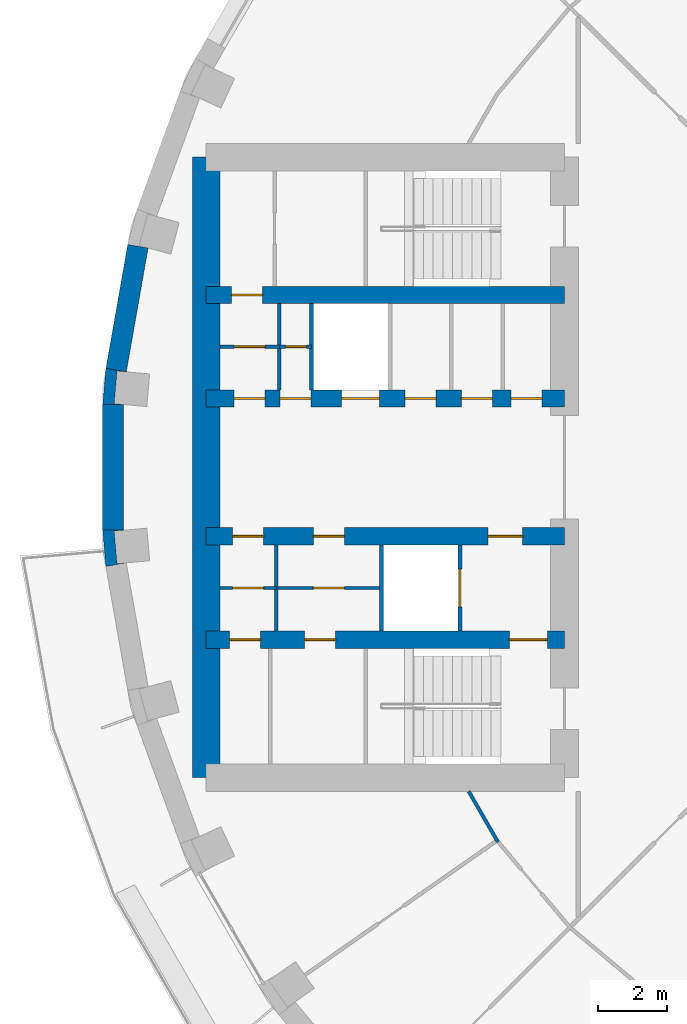
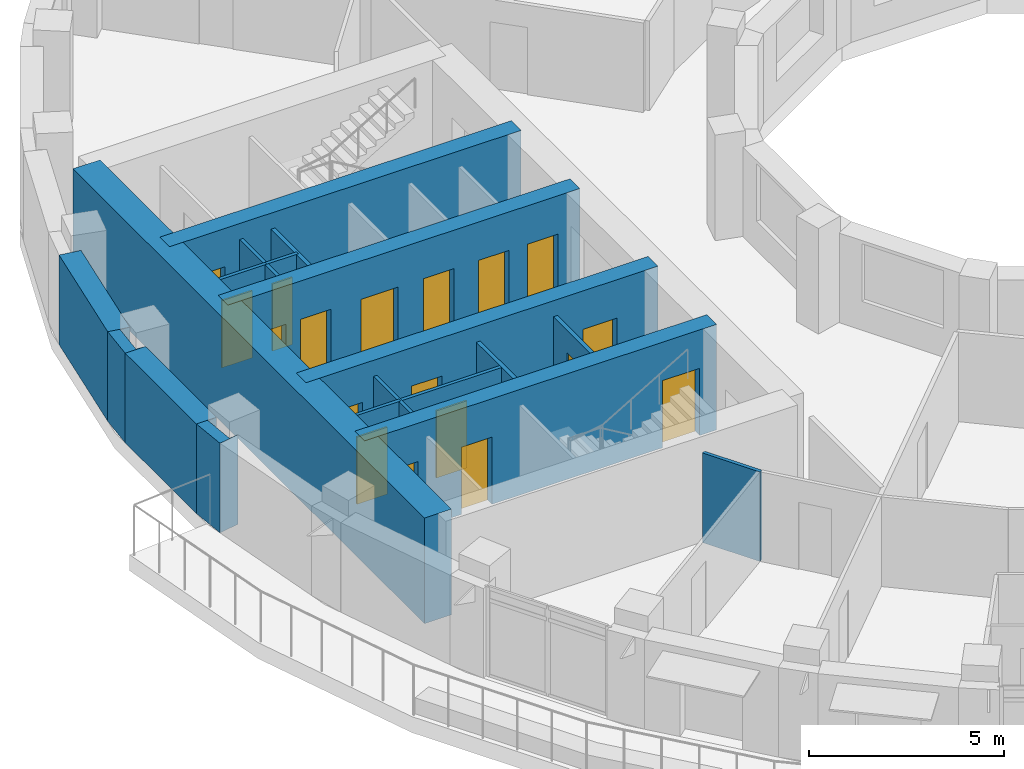
# One storey, part 6 of 16: 19 walls, 18 doors, 18 openings.
"""IFC4 building model written with IfcOpenShell, lengths in metres."""

from ifc_helpers import new_model, si_unit, direction, frame, frame_2d, origin, place, context, subcontext, project, spatial, polyline, rectangle, outline, extrude, material, layer, layer_set, type_object, element, fill, save


model = new_model("IFC4")

# Units and contexts
model_context = context("Model", 3, precision=1e-05, world=origin(), true_north=direction((0.0, 1.0)))
body_context = subcontext(model_context, "Body", "Model", "MODEL_VIEW")
ifc_project = project(units=[si_unit("LENGTHUNIT", "METRE"), si_unit("AREAUNIT", "SQUARE_METRE"), si_unit("VOLUMEUNIT", "CUBIC_METRE"), si_unit("PLANEANGLEUNIT", "RADIAN"), si_unit("MASSUNIT", "GRAM", prefix="KILO")], contexts=[model_context])

# Site, building, storey
site_placement = place(None, origin())
site = spatial("IfcSite", under=ifc_project, at=site_placement, CompositionType="ELEMENT")
building_placement = place(site_placement, origin())
building = spatial("IfcBuilding", under=site, at=building_placement, Name="Saqina Gate Tower", CompositionType="ELEMENT")
storey_placement = place(building_placement, frame((0.0, 0.0, 121.60009765625)))
storey = spatial("IfcBuildingStorey", under=building, at=storey_placement, Name="L34", CompositionType="ELEMENT", Elevation=121.60009765625)

# Walls
ifc_material_1 = material(Name="Brick masonry (buff)", Category="masonry")
wall_type_1 = type_object("IfcWallType", Name="BRICK PIER COPING BUFF", PredefinedType="SOLIDWALL", material=ifc_material_1)
wall_1_placement = place(storey_placement, origin())
element("IfcWall", 1, at=wall_1_placement, inside=storey, type_object=wall_type_1, Name="Pier cap L34 column 18", PredefinedType="SOLIDWALL", context=body_context, shape_type="SweptSolid", body=[
    extrude(outline(polyline([(-26.805419921875, 2.87451171875), (-26.897216796875, 1.823974609375), (-26.29736328125, 1.823974609375), (-26.565185546875, 1.847412109375), (-26.482421875, 2.793701171875), (-26.214599609375, 2.770263671875), (-26.805419921875, 2.87451171875)])), origin(), (0.0, 0.0, 1.0), 2.7998046875),
])
wall_2_placement = place(storey_placement, origin())
element("IfcWall", 2, at=wall_2_placement, inside=storey, type_object=wall_type_1, Name="Pier cap L34 column 19", PredefinedType="SOLIDWALL", context=body_context, shape_type="SweptSolid", body=[
    extrude(outline(polyline([(-26.805419921875, -2.87451171875), (-26.214599609375, -2.770263671875), (-26.482421875, -2.793701171875), (-26.565185546875, -1.847412109375), (-26.29736328125, -1.823974609375), (-26.897216796875, -1.823974609375), (-26.805419921875, -2.87451171875)])), origin(), (0.0, 0.0, 1.0), 2.7998046875),
])
ifc_material_2 = material(Name="Gypsum board on steel studs", Category="steel")
ifc_layer_1 = layer(ifc_material_2, 0.10009765625)
ifc_layer_set_1 = layer_set([ifc_layer_1], Name="CORE PARTITION")
wall_type_2 = type_object("IfcWallType", Name="CORE PARTITION", PredefinedType="PARTITIONING", material=ifc_layer_set_1)
for number, where, z_axis, x_axis, name in (
    (3, (-21.77099609375, 2.25, 0.0), (0.0, 0.0, 1.0), (0.0, 1.0, 0.0), "L34-CP-W05"),
    (4, (-21.8583984375, -4.75, 0.0), (0.0, 0.0, 1.0), (0.0, 1.0, 0.0), "L34-CP-W08"),
):
    element("IfcWall", number, at=place(storey_placement, frame(where, z_axis=z_axis, x_axis=x_axis)), inside=storey, type_object=wall_type_2, Name=name, PredefinedType="PARTITIONING", context=body_context, shape_type="SweptSolid", body=[
        extrude(rectangle(XDim=2.5, YDim=0.10009765625, at=frame_2d((1.25, 0.0))), origin(), (0.0, 0.0, 1.0), 2.7998046875),
    ])

# Wall, opening, door
wall_3_placement = place(storey_placement, frame((-20.840087890625, 3.5, 0.0), z_axis=(0.0, 0.0, 1.0), x_axis=(-1.0, 0.0, 0.0)))
wall_3 = element("IfcWall", 5, at=wall_3_placement, inside=storey, type_object=wall_type_2, Name="L34-CP-W09", PredefinedType="PARTITIONING", context=body_context, shape_type="SweptSolid", body=[
    extrude(rectangle(XDim=0.930908203125, YDim=0.10009765625, at=frame_2d((0.46533203125, 0.0))), origin(), (0.0, 0.0, 1.0), 2.7998046875),
])
opening_1_placement = place(wall_3_placement, frame((0.14990234375, 0.0, 0.0)))
opening_1 = element("IfcOpeningElement", 6, at=opening_1_placement, cuts=wall_3, Name="Opening G10-D118", PredefinedType="OPENING", context=body_context, shape_type="SweptSolid", body=[
    extrude(rectangle(XDim=0.60009765625, YDim=2.10009765625, at=frame_2d((0.300048828125, 1.050048828125))), frame((0.0, 0.06201171875, 0.0), z_axis=(0.0, -1.0, 0.0), x_axis=(1.0, 0.0, 0.0)), (0.0, 0.0, 1.0), 0.1240234375),
])
ifc_material_3 = material(Name="Steel-framed fire door leaf, EI 60", Category="steel")
door_type_1 = type_object("IfcDoorType", Name="SERVICE ROOM DOOR 600", OperationType="SINGLE_SWING_LEFT", PredefinedType="DOOR", material=ifc_material_3)
door_1_placement = place(opening_1_placement, origin())
door_1 = element("IfcDoor", 7, at=door_1_placement, inside=storey, type_object=door_type_1, Name="L34-CD-W29", OperationType="SINGLE_SWING_LEFT", OverallHeight=2.10009765625, OverallWidth=0.60009765625, PredefinedType="DOOR", context=body_context, shape_type="SweptSolid", body=[
    extrude(rectangle(XDim=0.60009765625, YDim=2.10009765625, at=frame_2d((0.300048828125, 1.050048828125))), frame((0.0, 0.02490234375, 0.0), z_axis=(0.0, -1.0, 0.0), x_axis=(1.0, 0.0, 0.0)), (0.0, 0.0, 1.0), 0.050048828125),
])
fill(opening_1, door_1)

wall_4_placement = place(storey_placement, frame((-21.77099609375, 3.5, 0.0), z_axis=(0.0, 0.0, 1.0), x_axis=(-1.0, 0.0, 0.0)))
wall_4 = element("IfcWall", 8, at=wall_4_placement, inside=storey, type_object=wall_type_2, Name="L34-CP-W10", PredefinedType="PARTITIONING", context=body_context, shape_type="SweptSolid", body=[
    extrude(rectangle(XDim=1.72900390625, YDim=0.10009765625, at=frame_2d((0.864501953125, 0.0))), origin(), (0.0, 0.0, 1.0), 2.7998046875),
])
opening_2_placement = place(wall_4_placement, frame((0.41455078125, 0.0, 0.0)))
opening_2 = element("IfcOpeningElement", 9, at=opening_2_placement, cuts=wall_4, Name="Opening G10-D119", PredefinedType="OPENING", context=body_context, shape_type="SweptSolid", body=[
    extrude(rectangle(XDim=0.89990234375, YDim=2.10009765625, at=frame_2d((0.449951171875, 1.050048828125))), frame((0.0, 0.06201171875, 0.0), z_axis=(0.0, -1.0, 0.0), x_axis=(1.0, 0.0, 0.0)), (0.0, 0.0, 1.0), 0.1240234375),
])
ifc_material_4 = material(Name="Steel-framed fire door leaf, EI 60", Category="steel")
door_type_2 = type_object("IfcDoorType", Name="SERVICE ROOM DOOR 900", OperationType="SINGLE_SWING_LEFT", PredefinedType="DOOR", material=ifc_material_4)
door_2_placement = place(opening_2_placement, frame((0.89990234375, 0.0, 0.0), z_axis=(0.0, 0.0, 1.0), x_axis=(-1.0, 0.0, 0.0)))
door_2 = element("IfcDoor", 10, at=door_2_placement, inside=storey, type_object=door_type_2, Name="L34-CD-W30", OperationType="SINGLE_SWING_LEFT", OverallHeight=2.10009765625, OverallWidth=0.89990234375, PredefinedType="DOOR", context=body_context, shape_type="SweptSolid", body=[
    extrude(rectangle(XDim=0.89990234375, YDim=2.10009765625, at=frame_2d((0.449951171875, 1.050048828125))), frame((0.0, 0.02490234375, 0.0), z_axis=(0.0, -1.0, 0.0), x_axis=(1.0, 0.0, 0.0)), (0.0, 0.0, 1.0), 0.050048828125),
])
fill(opening_2, door_2)

wall_5_placement = place(storey_placement, frame((-18.81005859375, -3.5, 0.0), z_axis=(0.0, 0.0, 1.0), x_axis=(-1.0, 0.0, 0.0)))
wall_5 = element("IfcWall", 11, at=wall_5_placement, inside=storey, type_object=wall_type_2, Name="L34-CP-W11", PredefinedType="PARTITIONING", context=body_context, shape_type="SweptSolid", body=[
    extrude(rectangle(XDim=3.04833984375, YDim=0.10009765625, at=frame_2d((1.524169921875, 0.0))), origin(), (0.0, 0.0, 1.0), 2.7998046875),
])
opening_3_placement = place(wall_5_placement, frame((1.07421875, 0.0, 0.0)))
opening_3 = element("IfcOpeningElement", 12, at=opening_3_placement, cuts=wall_5, Name="Opening G10-D123", PredefinedType="OPENING", context=body_context, shape_type="SweptSolid", body=[
    extrude(rectangle(XDim=0.89990234375, YDim=2.10009765625, at=frame_2d((0.449951171875, 1.050048828125))), frame((0.0, 0.06201171875, 0.0), z_axis=(0.0, -1.0, 0.0), x_axis=(1.0, 0.0, 0.0)), (0.0, 0.0, 1.0), 0.1240234375),
])
door_3_placement = place(opening_3_placement, origin())
door_3 = element("IfcDoor", 13, at=door_3_placement, inside=storey, type_object=door_type_2, Name="L34-CD-W34", OperationType="SINGLE_SWING_LEFT", OverallHeight=2.10009765625, OverallWidth=0.89990234375, PredefinedType="DOOR", context=body_context, shape_type="SweptSolid", body=[
    extrude(rectangle(XDim=0.89990234375, YDim=2.10009765625, at=frame_2d((0.449951171875, 1.050048828125))), frame((0.0, 0.02490234375, 0.0), z_axis=(0.0, -1.0, 0.0), x_axis=(1.0, 0.0, 0.0)), (0.0, 0.0, 1.0), 0.050048828125),
])
fill(opening_3, door_3)

wall_6_placement = place(storey_placement, frame((-21.8583984375, -3.5, 0.0), z_axis=(0.0, 0.0, 1.0), x_axis=(-1.0, 0.0, 0.0)))
wall_6 = element("IfcWall", 14, at=wall_6_placement, inside=storey, type_object=wall_type_2, Name="L34-CP-W12", PredefinedType="PARTITIONING", context=body_context, shape_type="SweptSolid", body=[
    extrude(rectangle(XDim=1.6416015625, YDim=0.10009765625, at=frame_2d((0.82080078125, 0.0))), origin(), (0.0, 0.0, 1.0), 2.7998046875),
])
opening_4_placement = place(wall_6_placement, frame((0.370849609375, 0.0, 0.0)))
opening_4 = element("IfcOpeningElement", 15, at=opening_4_placement, cuts=wall_6, Name="Opening G10-D122", PredefinedType="OPENING", context=body_context, shape_type="SweptSolid", body=[
    extrude(rectangle(XDim=0.89990234375, YDim=2.10009765625, at=frame_2d((0.449951171875, 1.050048828125))), frame((0.0, 0.06201171875, 0.0), z_axis=(0.0, -1.0, 0.0), x_axis=(1.0, 0.0, 0.0)), (0.0, 0.0, 1.0), 0.1240234375),
])
door_4_placement = place(opening_4_placement, origin())
door_4 = element("IfcDoor", 16, at=door_4_placement, inside=storey, type_object=door_type_2, Name="L34-CD-W33", OperationType="SINGLE_SWING_RIGHT", OverallHeight=2.10009765625, OverallWidth=0.89990234375, PredefinedType="DOOR", context=body_context, shape_type="SweptSolid", body=[
    extrude(rectangle(XDim=0.89990234375, YDim=2.10009765625, at=frame_2d((0.449951171875, 1.050048828125))), frame((0.0, 0.02490234375, 0.0), z_axis=(0.0, -1.0, 0.0), x_axis=(1.0, 0.0, 0.0)), (0.0, 0.0, 1.0), 0.050048828125),
])
fill(opening_4, door_4)

# Walls
ifc_material_5 = material(Name="Glazed ceramic tile", Category="ceramic")
ifc_layer_2 = layer(ifc_material_5, 0.60009765625)
ifc_layer_set_2 = layer_set([ifc_layer_2], Name="FW-TILE")
wall_type_3 = type_object("IfcWallType", Name="FW-TILE", PredefinedType="SOLIDWALL", material=ifc_layer_set_2)
wall_7_placement = place(storey_placement, frame((-25.87646484375, 6.414794921875, 0.0), z_axis=(0.0, 0.0, 1.0), x_axis=(-0.173670796382, -0.984803764455, 0.0)))
element("IfcWall", 17, at=wall_7_placement, inside=storey, type_object=wall_type_3, Name="Facade wall L34 facet 17", PredefinedType="SOLIDWALL", context=body_context, shape_type="SweptSolid", body=[
    extrude(rectangle(XDim=3.64794921875, YDim=0.60009765625, at=frame_2d((1.823974609375, 0.0))), origin(), (0.0, 0.0, 1.0), 2.7998046875),
])
ifc_material_6 = material(Name="Glazed ceramic tile (white)", Category="ceramic")
ifc_layer_3 = layer(ifc_material_6, 0.60009765625)
ifc_layer_set_3 = layer_set([ifc_layer_3], Name="FW-TILE-WH")
wall_type_4 = type_object("IfcWallType", Name="FW-TILE-WH", PredefinedType="SOLIDWALL", material=ifc_layer_set_3)
wall_8_placement = place(storey_placement, frame((-26.59716796875, 1.823974609375, 0.0), z_axis=(0.0, 0.0, 1.0), x_axis=(0.0, -1.0, 0.0)))
element("IfcWall", 18, at=wall_8_placement, inside=storey, type_object=wall_type_4, Name="Facade wall L34 facet 18", PredefinedType="SOLIDWALL", context=body_context, shape_type="SweptSolid", body=[
    extrude(rectangle(XDim=3.64794921875, YDim=0.60009765625, at=frame_2d((1.823974609375, 0.0))), origin(), (0.0, 0.0, 1.0), 2.7998046875),
])
ifc_material_7 = material(Name="Gypsum board on steel studs, 100 mm", Category="steel")
ifc_layer_4 = layer(ifc_material_7, 0.10009765625)
ifc_layer_set_4 = layer_set([ifc_layer_4], Name="PARTITION 100")
wall_type_5 = type_object("IfcWallType", Name="PARTITION 100", PredefinedType="PARTITIONING", material=ifc_layer_set_4)
wall_9_placement = place(storey_placement, frame((-16.281005859375, -9.39794921875, 0.0), z_axis=(0.0, 0.0, 1.0), x_axis=(0.499867730161, -0.866101756345, 0.0)))
element("IfcWall", 19, at=wall_9_placement, inside=storey, type_object=wall_type_5, Name="PARTITION PW3-14", PredefinedType="PARTITIONING", context=body_context, shape_type="SweptSolid", body=[
    extrude(rectangle(XDim=1.697265625, YDim=0.10009765625, at=frame_2d((0.8486328125, 0.0))), origin(), (0.0, 0.0, 1.0), 2.7998046875),
])
ifc_material_8 = material(Name="Autoclaved aerated concrete block", Category="concrete")
ifc_layer_5 = layer(ifc_material_8, 0.1201171875)
ifc_layer_set_5 = layer_set([ifc_layer_5], Name="SHAFT PARTITION")
wall_type_6 = type_object("IfcWallType", Name="SHAFT PARTITION", PredefinedType="PARTITIONING", material=ifc_layer_set_5)
wall_10_placement = place(storey_placement, frame((-20.840087890625, 2.25, 0.0), z_axis=(0.0, 0.0, 1.0), x_axis=(0.0, 1.0, 0.0)))
element("IfcWall", 20, at=wall_10_placement, inside=storey, type_object=wall_type_6, Name="L34-CP-W04", PredefinedType="PARTITIONING", context=body_context, shape_type="SweptSolid", body=[
    extrude(rectangle(XDim=2.5, YDim=0.1201171875, at=frame_2d((1.25, 0.0))), origin(), (0.0, 0.0, 1.0), 2.7998046875),
])

# Wall, opening, door
wall_11_placement = place(storey_placement, frame((-16.530029296875, -4.75, 0.0), z_axis=(0.0, 0.0, 1.0), x_axis=(0.0, 1.0, 0.0)))
wall_11 = element("IfcWall", 21, at=wall_11_placement, inside=storey, type_object=wall_type_6, Name="L34-CP-W06", PredefinedType="PARTITIONING", context=body_context, shape_type="SweptSolid", body=[
    extrude(rectangle(XDim=2.5, YDim=0.1201171875, at=frame_2d((1.25, 0.0))), origin(), (0.0, 0.0, 1.0), 2.7998046875),
])
opening_5_placement = place(wall_11_placement, frame((0.699951171875, 0.0, 0.0)))
opening_5 = element("IfcOpeningElement", 22, at=opening_5_placement, cuts=wall_11, Name="Opening G10-LD4", PredefinedType="OPENING", context=body_context, shape_type="SweptSolid", body=[
    extrude(rectangle(XDim=1.10009765625, YDim=2.10009765625, at=frame_2d((0.550048828125, 1.050048828125))), frame((0.0, 0.072021484375, 0.0), z_axis=(0.0, -1.0, 0.0), x_axis=(1.0, 0.0, 0.0)), (0.0, 0.0, 1.0), 0.14404296875),
])
ifc_material_9 = material(Name="Stainless steel", Category="steel")
door_type_3 = type_object("IfcDoorType", Name="LANDING DOOR", OperationType="DOUBLE_DOOR_SLIDING", PredefinedType="DOOR", material=ifc_material_9)
door_5_placement = place(opening_5_placement, origin())
door_5 = element("IfcDoor", 23, at=door_5_placement, inside=storey, type_object=door_type_3, Name="LANDING DOOR FF2", OperationType="DOUBLE_DOOR_SLIDING", OverallHeight=2.10009765625, OverallWidth=1.10009765625, PredefinedType="DOOR", context=body_context, shape_type="SweptSolid", body=[
    extrude(rectangle(XDim=1.10009765625, YDim=2.10009765625, at=frame_2d((0.550048828125, 1.050048828125))), frame((0.0, 0.02490234375, 0.0), z_axis=(0.0, -1.0, 0.0), x_axis=(1.0, 0.0, 0.0)), (0.0, 0.0, 1.0), 0.050048828125),
])
fill(opening_5, door_5)

# Wall
wall_12_placement = place(storey_placement, frame((-18.81005859375, -4.75, 0.0), z_axis=(0.0, 0.0, 1.0), x_axis=(0.0, 1.0, 0.0)))
element("IfcWall", 24, at=wall_12_placement, inside=storey, type_object=wall_type_6, Name="L34-CP-W07", PredefinedType="PARTITIONING", context=body_context, shape_type="SweptSolid", body=[
    extrude(rectangle(XDim=2.5, YDim=0.1201171875, at=frame_2d((1.25, 0.0))), origin(), (0.0, 0.0, 1.0), 2.7998046875),
])

# Wall, opening, door
ifc_material_10 = material(Name="Concrete C70/85", Category="concrete")
ifc_layer_6 = layer(ifc_material_10, 0.5)
ifc_layer_set_6 = layer_set([ifc_layer_6], Name="Concrete C70/85")
wall_type_7 = type_object("IfcWallType", Name="STR-CORE WALL-B-I", PredefinedType="SHEAR", material=ifc_layer_set_6)
wall_13_placement = place(storey_placement, frame((-13.5, 5.0, 0.0), z_axis=(0.0, 0.0, 1.0), x_axis=(-1.0, 0.0, 0.0)))
wall_13 = element("IfcWall", 25, at=wall_13_placement, inside=storey, type_object=wall_type_7, Name="CORE WALL L34 W-X1", PredefinedType="SHEAR", context=body_context, shape_type="SweptSolid", body=[
    extrude(rectangle(XDim=10.39990234375, YDim=0.5, at=frame_2d((5.199951171875, 0.0))), origin(), (0.0, 0.0, 1.0), 3.2998046875),
])
opening_6_placement = place(wall_13_placement, frame((8.755859375, 0.0, 0.0)))
opening_6 = element("IfcOpeningElement", 26, at=opening_6_placement, cuts=wall_13, Name="Opening G10-D121", PredefinedType="OPENING", context=body_context, shape_type="SweptSolid", body=[
    extrude(rectangle(XDim=0.89990234375, YDim=2.10009765625, at=frame_2d((0.449951171875, 1.050048828125))), frame((0.0, 0.261962890625, 0.0), z_axis=(0.0, -1.0, 0.0), x_axis=(1.0, 0.0, 0.0)), (0.0, 0.0, 1.0), 0.52392578125),
])
door_6_placement = place(opening_6_placement, frame((0.89990234375, 0.0, 0.0), z_axis=(0.0, 0.0, 1.0), x_axis=(-1.0, 0.0, 0.0)))
door_6 = element("IfcDoor", 27, at=door_6_placement, inside=storey, type_object=door_type_2, Name="L34-CD-W32", OperationType="SINGLE_SWING_LEFT", OverallHeight=2.10009765625, OverallWidth=0.89990234375, PredefinedType="DOOR", context=body_context, shape_type="SweptSolid", body=[
    extrude(rectangle(XDim=0.89990234375, YDim=2.10009765625, at=frame_2d((0.449951171875, 1.050048828125))), frame((0.0, 0.02490234375, 0.0), z_axis=(0.0, -1.0, 0.0), x_axis=(1.0, 0.0, 0.0)), (0.0, 0.0, 1.0), 0.050048828125),
])
fill(opening_6, door_6)

# Wall, openings, doors
wall_14_placement = place(storey_placement, frame((-13.5, -5.0, 0.0), z_axis=(0.0, 0.0, 1.0), x_axis=(-1.0, 0.0, 0.0)))
wall_14 = element("IfcWall", 28, at=wall_14_placement, inside=storey, type_object=wall_type_7, Name="CORE WALL L34 W-X2", PredefinedType="SHEAR", context=body_context, shape_type="SweptSolid", body=[
    extrude(rectangle(XDim=10.39990234375, YDim=0.5, at=frame_2d((5.199951171875, 0.0))), origin(), (0.0, 0.0, 1.0), 3.2998046875),
])
opening_7_placement = place(wall_14_placement, frame((6.63916015625, 0.0, 0.0)))
opening_7 = element("IfcOpeningElement", 29, at=opening_7_placement, cuts=wall_14, Name="Opening G10-D124", PredefinedType="OPENING", context=body_context, shape_type="SweptSolid", body=[
    extrude(rectangle(XDim=0.89990234375, YDim=2.10009765625, at=frame_2d((0.449951171875, 1.050048828125))), frame((0.0, 0.261962890625, 0.0), z_axis=(0.0, -1.0, 0.0), x_axis=(1.0, 0.0, 0.0)), (0.0, 0.0, 1.0), 0.52392578125),
])
opening_8_placement = place(wall_14_placement, frame((8.818603515625, 0.0, 0.0)))
opening_8 = element("IfcOpeningElement", 30, at=opening_8_placement, cuts=wall_14, Name="Opening G10-D125", PredefinedType="OPENING", context=body_context, shape_type="SweptSolid", body=[
    extrude(rectangle(XDim=0.89990234375, YDim=2.10009765625, at=frame_2d((0.449951171875, 1.050048828125))), frame((0.0, 0.261962890625, 0.0), z_axis=(0.0, -1.0, 0.0), x_axis=(1.0, 0.0, 0.0)), (0.0, 0.0, 1.0), 0.52392578125),
])
opening_9_placement = place(wall_14_placement, frame((0.5, 0.0, 0.0)))
opening_9 = element("IfcOpeningElement", 31, at=opening_9_placement, cuts=wall_14, Name="Opening G10-D126", PredefinedType="OPENING", context=body_context, shape_type="SweptSolid", body=[
    extrude(rectangle(XDim=1.10009765625, YDim=2.10009765625, at=frame_2d((0.550048828125, 1.050048828125))), frame((0.0, 0.261962890625, 0.0), z_axis=(0.0, -1.0, 0.0), x_axis=(1.0, 0.0, 0.0)), (0.0, 0.0, 1.0), 0.52392578125),
])
ifc_material_11 = material(Name="Steel", Category="steel")
door_type_4 = type_object("IfcDoorType", Name="FIRE LOBBY DOOR EI 60 WIDE", OperationType="SINGLE_SWING_LEFT", PredefinedType="DOOR", material=ifc_material_11)
door_7_placement = place(opening_9_placement, origin())
door_7 = element("IfcDoor", 32, at=door_7_placement, inside=storey, type_object=door_type_4, Name="L34-CD-W37", OperationType="SINGLE_SWING_LEFT", OverallHeight=2.10009765625, OverallWidth=1.10009765625, PredefinedType="DOOR", context=body_context, shape_type="SweptSolid", body=[
    extrude(rectangle(XDim=1.10009765625, YDim=2.10009765625, at=frame_2d((0.550048828125, 1.050048828125))), frame((0.0, 0.02490234375, 0.0), z_axis=(0.0, -1.0, 0.0), x_axis=(1.0, 0.0, 0.0)), (0.0, 0.0, 1.0), 0.050048828125),
])
fill(opening_9, door_7)
door_8_placement = place(opening_7_placement, origin())
door_8 = element("IfcDoor", 33, at=door_8_placement, inside=storey, type_object=door_type_2, Name="L34-CD-W35", OperationType="SINGLE_SWING_RIGHT", OverallHeight=2.10009765625, OverallWidth=0.89990234375, PredefinedType="DOOR", context=body_context, shape_type="SweptSolid", body=[
    extrude(rectangle(XDim=0.89990234375, YDim=2.10009765625, at=frame_2d((0.449951171875, 1.050048828125))), frame((0.0, 0.02490234375, 0.0), z_axis=(0.0, -1.0, 0.0), x_axis=(1.0, 0.0, 0.0)), (0.0, 0.0, 1.0), 0.050048828125),
])
fill(opening_7, door_8)
door_9_placement = place(opening_8_placement, origin())
door_9 = element("IfcDoor", 34, at=door_9_placement, inside=storey, type_object=door_type_2, Name="L34-CD-W36", OperationType="SINGLE_SWING_RIGHT", OverallHeight=2.10009765625, OverallWidth=0.89990234375, PredefinedType="DOOR", context=body_context, shape_type="SweptSolid", body=[
    extrude(rectangle(XDim=0.89990234375, YDim=2.10009765625, at=frame_2d((0.449951171875, 1.050048828125))), frame((0.0, 0.02490234375, 0.0), z_axis=(0.0, -1.0, 0.0), x_axis=(1.0, 0.0, 0.0)), (0.0, 0.0, 1.0), 0.050048828125),
])
fill(opening_8, door_9)

wall_15_placement = place(storey_placement, frame((-13.5, 2.0, 0.0), z_axis=(0.0, 0.0, 1.0), x_axis=(-1.0, 0.0, 0.0)))
wall_15 = element("IfcWall", 35, at=wall_15_placement, inside=storey, type_object=wall_type_7, Name="CORE WALL L34 W-L1", PredefinedType="SHEAR", context=body_context, shape_type="SweptSolid", body=[
    extrude(rectangle(XDim=10.39990234375, YDim=0.5, at=frame_2d((5.199951171875, 0.0))), origin(), (0.0, 0.0, 1.0), 3.2998046875),
])
opening_10_placement = place(wall_15_placement, frame((5.3701171875, 0.0, 0.0)))
opening_10 = element("IfcOpeningElement", 36, at=opening_10_placement, cuts=wall_15, Name="Opening G10-LD3", PredefinedType="OPENING", context=body_context, shape_type="SweptSolid", body=[
    extrude(rectangle(XDim=1.10009765625, YDim=2.10009765625, at=frame_2d((0.550048828125, 1.050048828125))), frame((0.0, 0.261962890625, 0.0), z_axis=(0.0, -1.0, 0.0), x_axis=(1.0, 0.0, 0.0)), (0.0, 0.0, 1.0), 0.52392578125),
])
opening_11_placement = place(wall_15_placement, frame((0.64892578125, 0.0, 0.0)))
opening_11 = element("IfcOpeningElement", 37, at=opening_11_placement, cuts=wall_15, Name="Opening G10-D110", PredefinedType="OPENING", context=body_context, shape_type="SweptSolid", body=[
    extrude(rectangle(XDim=0.89990234375, YDim=2.10009765625, at=frame_2d((0.449951171875, 1.050048828125))), frame((0.0, 0.261962890625, 0.0), z_axis=(0.0, -1.0, 0.0), x_axis=(1.0, 0.0, 0.0)), (0.0, 0.0, 1.0), 0.52392578125),
])
opening_12_placement = place(wall_15_placement, frame((2.093505859375, 0.0, 0.0)))
opening_12 = element("IfcOpeningElement", 38, at=opening_12_placement, cuts=wall_15, Name="Opening G10-D111", PredefinedType="OPENING", context=body_context, shape_type="SweptSolid", body=[
    extrude(rectangle(XDim=0.89990234375, YDim=2.10009765625, at=frame_2d((0.449951171875, 1.050048828125))), frame((0.0, 0.261962890625, 0.0), z_axis=(0.0, -1.0, 0.0), x_axis=(1.0, 0.0, 0.0)), (0.0, 0.0, 1.0), 0.52392578125),
])
opening_13_placement = place(wall_15_placement, frame((3.724609375, 0.0, 0.0)))
opening_13 = element("IfcOpeningElement", 39, at=opening_13_placement, cuts=wall_15, Name="Opening G10-D112", PredefinedType="OPENING", context=body_context, shape_type="SweptSolid", body=[
    extrude(rectangle(XDim=0.89990234375, YDim=2.10009765625, at=frame_2d((0.449951171875, 1.050048828125))), frame((0.0, 0.261962890625, 0.0), z_axis=(0.0, -1.0, 0.0), x_axis=(1.0, 0.0, 0.0)), (0.0, 0.0, 1.0), 0.52392578125),
])
opening_14_placement = place(wall_15_placement, frame((7.35546875, 0.0, 0.0)))
opening_14 = element("IfcOpeningElement", 40, at=opening_14_placement, cuts=wall_15, Name="Opening G10-D113", PredefinedType="OPENING", context=body_context, shape_type="SweptSolid", body=[
    extrude(rectangle(XDim=0.89990234375, YDim=2.10009765625, at=frame_2d((0.449951171875, 1.050048828125))), frame((0.0, 0.261962890625, 0.0), z_axis=(0.0, -1.0, 0.0), x_axis=(1.0, 0.0, 0.0)), (0.0, 0.0, 1.0), 0.52392578125),
])
opening_15_placement = place(wall_15_placement, frame((8.685546875, 0.0, 0.0)))
opening_15 = element("IfcOpeningElement", 41, at=opening_15_placement, cuts=wall_15, Name="Opening G10-D114", PredefinedType="OPENING", context=body_context, shape_type="SweptSolid", body=[
    extrude(rectangle(XDim=0.89990234375, YDim=2.10009765625, at=frame_2d((0.449951171875, 1.050048828125))), frame((0.0, 0.261962890625, 0.0), z_axis=(0.0, -1.0, 0.0), x_axis=(1.0, 0.0, 0.0)), (0.0, 0.0, 1.0), 0.52392578125),
])
door_10_placement = place(opening_10_placement, origin())
door_10 = element("IfcDoor", 42, at=door_10_placement, inside=storey, type_object=door_type_3, Name="LANDING DOOR MR2", OperationType="DOUBLE_DOOR_SLIDING", OverallHeight=2.10009765625, OverallWidth=1.10009765625, PredefinedType="DOOR", context=body_context, shape_type="SweptSolid", body=[
    extrude(rectangle(XDim=1.10009765625, YDim=2.10009765625, at=frame_2d((0.550048828125, 1.050048828125))), frame((0.0, 0.02490234375, 0.0), z_axis=(0.0, -1.0, 0.0), x_axis=(1.0, 0.0, 0.0)), (0.0, 0.0, 1.0), 0.050048828125),
])
fill(opening_10, door_10)
door_11_placement = place(opening_11_placement, frame((0.89990234375, 0.0, 0.0), z_axis=(0.0, 0.0, 1.0), x_axis=(-1.0, 0.0, 0.0)))
door_11 = element("IfcDoor", 43, at=door_11_placement, inside=storey, type_object=door_type_2, Name="L34-CD-W21", OperationType="SINGLE_SWING_RIGHT", OverallHeight=2.10009765625, OverallWidth=0.89990234375, PredefinedType="DOOR", context=body_context, shape_type="SweptSolid", body=[
    extrude(rectangle(XDim=0.89990234375, YDim=2.10009765625, at=frame_2d((0.449951171875, 1.050048828125))), frame((0.0, 0.02490234375, 0.0), z_axis=(0.0, -1.0, 0.0), x_axis=(1.0, 0.0, 0.0)), (0.0, 0.0, 1.0), 0.050048828125),
])
fill(opening_11, door_11)
door_12_placement = place(opening_12_placement, frame((0.89990234375, 0.0, 0.0), z_axis=(0.0, 0.0, 1.0), x_axis=(-1.0, 0.0, 0.0)))
door_12 = element("IfcDoor", 44, at=door_12_placement, inside=storey, type_object=door_type_2, Name="L34-CD-W22", OperationType="SINGLE_SWING_RIGHT", OverallHeight=2.10009765625, OverallWidth=0.89990234375, PredefinedType="DOOR", context=body_context, shape_type="SweptSolid", body=[
    extrude(rectangle(XDim=0.89990234375, YDim=2.10009765625, at=frame_2d((0.449951171875, 1.050048828125))), frame((0.0, 0.02490234375, 0.0), z_axis=(0.0, -1.0, 0.0), x_axis=(1.0, 0.0, 0.0)), (0.0, 0.0, 1.0), 0.050048828125),
])
fill(opening_12, door_12)
door_13_placement = place(opening_13_placement, frame((0.89990234375, 0.0, 0.0), z_axis=(0.0, 0.0, 1.0), x_axis=(-1.0, 0.0, 0.0)))
door_13 = element("IfcDoor", 45, at=door_13_placement, inside=storey, type_object=door_type_2, Name="L34-CD-W23", OperationType="SINGLE_SWING_LEFT", OverallHeight=2.10009765625, OverallWidth=0.89990234375, PredefinedType="DOOR", context=body_context, shape_type="SweptSolid", body=[
    extrude(rectangle(XDim=0.89990234375, YDim=2.10009765625, at=frame_2d((0.449951171875, 1.050048828125))), frame((0.0, 0.02490234375, 0.0), z_axis=(0.0, -1.0, 0.0), x_axis=(1.0, 0.0, 0.0)), (0.0, 0.0, 1.0), 0.050048828125),
])
fill(opening_13, door_13)
door_14_placement = place(opening_14_placement, frame((0.89990234375, 0.0, 0.0), z_axis=(0.0, 0.0, 1.0), x_axis=(-1.0, 0.0, 0.0)))
door_14 = element("IfcDoor", 46, at=door_14_placement, inside=storey, type_object=door_type_2, Name="L34-CD-W24", OperationType="SINGLE_SWING_RIGHT", OverallHeight=2.10009765625, OverallWidth=0.89990234375, PredefinedType="DOOR", context=body_context, shape_type="SweptSolid", body=[
    extrude(rectangle(XDim=0.89990234375, YDim=2.10009765625, at=frame_2d((0.449951171875, 1.050048828125))), frame((0.0, 0.02490234375, 0.0), z_axis=(0.0, -1.0, 0.0), x_axis=(1.0, 0.0, 0.0)), (0.0, 0.0, 1.0), 0.050048828125),
])
fill(opening_14, door_14)
door_15_placement = place(opening_15_placement, frame((0.89990234375, 0.0, 0.0), z_axis=(0.0, 0.0, 1.0), x_axis=(-1.0, 0.0, 0.0)))
door_15 = element("IfcDoor", 47, at=door_15_placement, inside=storey, type_object=door_type_2, Name="L34-CD-W25", OperationType="SINGLE_SWING_LEFT", OverallHeight=2.10009765625, OverallWidth=0.89990234375, PredefinedType="DOOR", context=body_context, shape_type="SweptSolid", body=[
    extrude(rectangle(XDim=0.89990234375, YDim=2.10009765625, at=frame_2d((0.449951171875, 1.050048828125))), frame((0.0, 0.02490234375, 0.0), z_axis=(0.0, -1.0, 0.0), x_axis=(1.0, 0.0, 0.0)), (0.0, 0.0, 1.0), 0.050048828125),
])
fill(opening_15, door_15)

wall_16_placement = place(storey_placement, frame((-13.5, -2.0, 0.0), z_axis=(0.0, 0.0, 1.0), x_axis=(-1.0, 0.0, 0.0)))
wall_16 = element("IfcWall", 48, at=wall_16_placement, inside=storey, type_object=wall_type_7, Name="CORE WALL L34 W-L2", PredefinedType="SHEAR", context=body_context, shape_type="SweptSolid", body=[
    extrude(rectangle(XDim=10.39990234375, YDim=0.5, at=frame_2d((5.199951171875, 0.0))), origin(), (0.0, 0.0, 1.0), 3.2998046875),
])
opening_16_placement = place(wall_16_placement, frame((1.215087890625, 0.0, 0.0)))
opening_16 = element("IfcOpeningElement", 49, at=opening_16_placement, cuts=wall_16, Name="Opening G10-D115", PredefinedType="OPENING", context=body_context, shape_type="SweptSolid", body=[
    extrude(rectangle(XDim=1.0, YDim=2.10009765625, at=frame_2d((0.5, 1.050048828125))), frame((0.0, 0.261962890625, 0.0), z_axis=(0.0, -1.0, 0.0), x_axis=(1.0, 0.0, 0.0)), (0.0, 0.0, 1.0), 0.52392578125),
])
opening_17_placement = place(wall_16_placement, frame((6.38427734375, 0.0, 0.0)))
opening_17 = element("IfcOpeningElement", 50, at=opening_17_placement, cuts=wall_16, Name="Opening G10-D116", PredefinedType="OPENING", context=body_context, shape_type="SweptSolid", body=[
    extrude(rectangle(XDim=0.89990234375, YDim=2.10009765625, at=frame_2d((0.449951171875, 1.050048828125))), frame((0.0, 0.261962890625, 0.0), z_axis=(0.0, -1.0, 0.0), x_axis=(1.0, 0.0, 0.0)), (0.0, 0.0, 1.0), 0.52392578125),
])
opening_18_placement = place(wall_16_placement, frame((8.729248046875, 0.0, 0.0)))
opening_18 = element("IfcOpeningElement", 51, at=opening_18_placement, cuts=wall_16, Name="Opening G10-D117", PredefinedType="OPENING", context=body_context, shape_type="SweptSolid", body=[
    extrude(rectangle(XDim=0.89990234375, YDim=2.10009765625, at=frame_2d((0.449951171875, 1.050048828125))), frame((0.0, 0.261962890625, 0.0), z_axis=(0.0, -1.0, 0.0), x_axis=(1.0, 0.0, 0.0)), (0.0, 0.0, 1.0), 0.52392578125),
])
ifc_material_12 = material(Name="Steel", Category="steel")
door_type_5 = type_object("IfcDoorType", Name="FIRE LOBBY DOOR EI 60", OperationType="SINGLE_SWING_LEFT", PredefinedType="DOOR", material=ifc_material_12)
door_16_placement = place(opening_16_placement, frame((1.0, 0.0, 0.0), z_axis=(0.0, 0.0, 1.0), x_axis=(-1.0, 0.0, 0.0)))
door_16 = element("IfcDoor", 52, at=door_16_placement, inside=storey, type_object=door_type_5, Name="L34-CD-W26", OperationType="SINGLE_SWING_RIGHT", OverallHeight=2.10009765625, OverallWidth=1.0, PredefinedType="DOOR", context=body_context, shape_type="SweptSolid", body=[
    extrude(rectangle(XDim=1.0, YDim=2.10009765625, at=frame_2d((0.5, 1.050048828125))), frame((0.0, 0.02490234375, 0.0), z_axis=(0.0, -1.0, 0.0), x_axis=(1.0, 0.0, 0.0)), (0.0, 0.0, 1.0), 0.050048828125),
])
fill(opening_16, door_16)
door_17_placement = place(opening_17_placement, origin())
door_17 = element("IfcDoor", 53, at=door_17_placement, inside=storey, type_object=door_type_2, Name="L34-CD-W27", OperationType="SINGLE_SWING_RIGHT", OverallHeight=2.10009765625, OverallWidth=0.89990234375, PredefinedType="DOOR", context=body_context, shape_type="SweptSolid", body=[
    extrude(rectangle(XDim=0.89990234375, YDim=2.10009765625, at=frame_2d((0.449951171875, 1.050048828125))), frame((0.0, 0.02490234375, 0.0), z_axis=(0.0, -1.0, 0.0), x_axis=(1.0, 0.0, 0.0)), (0.0, 0.0, 1.0), 0.050048828125),
])
fill(opening_17, door_17)
door_18_placement = place(opening_18_placement, origin())
door_18 = element("IfcDoor", 54, at=door_18_placement, inside=storey, type_object=door_type_2, Name="L34-CD-W28", OperationType="SINGLE_SWING_RIGHT", OverallHeight=2.10009765625, OverallWidth=0.89990234375, PredefinedType="DOOR", context=body_context, shape_type="SweptSolid", body=[
    extrude(rectangle(XDim=0.89990234375, YDim=2.10009765625, at=frame_2d((0.449951171875, 1.050048828125))), frame((0.0, 0.02490234375, 0.0), z_axis=(0.0, -1.0, 0.0), x_axis=(1.0, 0.0, 0.0)), (0.0, 0.0, 1.0), 0.050048828125),
])
fill(opening_18, door_18)

# Wall
ifc_material_13 = material(Name="Concrete C70/85", Category="concrete")
ifc_layer_7 = layer(ifc_material_13, 0.800048828125)
ifc_layer_set_7 = layer_set([ifc_layer_7], Name="Concrete C70/85")
wall_type_8 = type_object("IfcWallType", Name="STR-CORE WALL-B-O", PredefinedType="SHEAR", material=ifc_layer_set_7)
wall_17_placement = place(storey_placement, frame((-23.89990234375, -9.0, 0.0), z_axis=(0.0, 0.0, 1.0), x_axis=(0.0, 1.0, 0.0)))
element("IfcWall", 55, at=wall_17_placement, inside=storey, type_object=wall_type_8, Name="CORE WALL L34 W-W2", PredefinedType="SHEAR", context=body_context, shape_type="SweptSolid", body=[
    extrude(rectangle(XDim=18.0, YDim=0.800048828125, at=frame_2d((9.0, 0.0))), origin(), (0.0, 0.0, 1.0), 3.2998046875),
])

save(model, "model.ifc")
